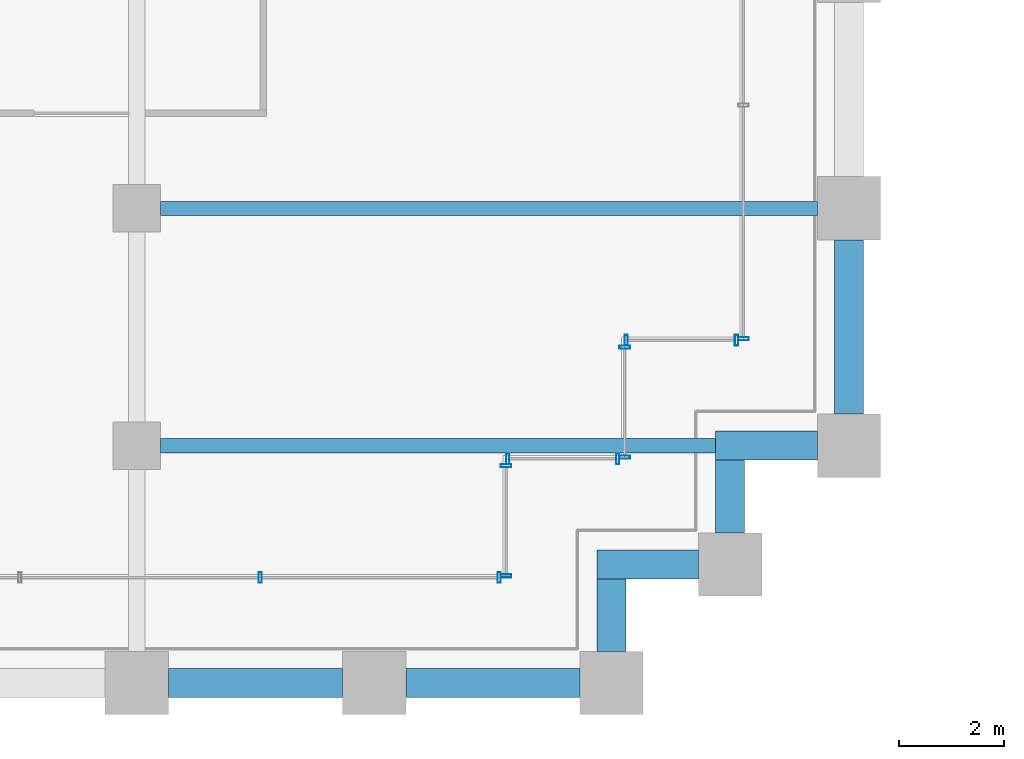
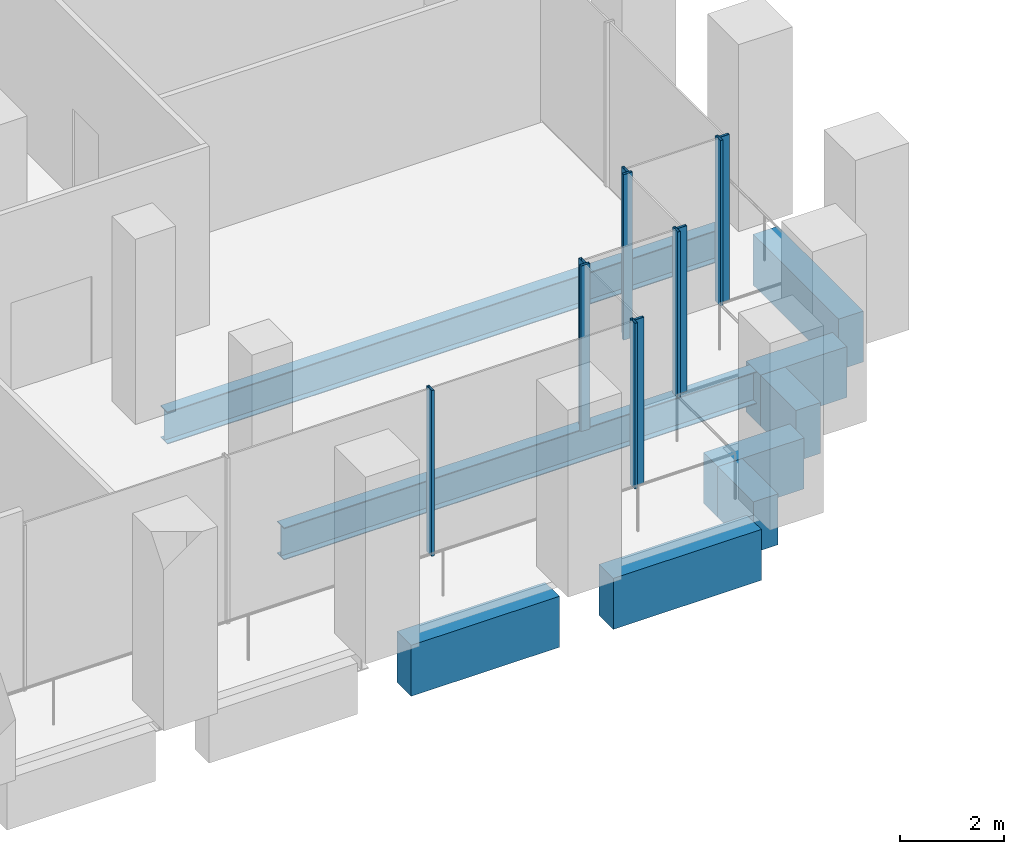
# One storey, part 9 of 36: 11 members, 9 beams, 6 elements without a shape of their own.
"""IFC4 building model written with IfcOpenShell, lengths in metres."""

from ifc_helpers import new_model, si_unit, direction, frame, origin, origin_2d, place, context, subcontext, project, spatial, rectangle, hollow_rectangle, i_section, extrude, material, material_profile, profile_set, type_object, element, aggregate, save


model = new_model("IFC4")

# Units and contexts
model_context = context("Model", 3, precision=1e-05, world=origin(), true_north=direction((0.0, 1.0)))
body_context = subcontext(model_context, "Body", "Model", "MODEL_VIEW")
ifc_project = project(units=[si_unit("LENGTHUNIT", "METRE"), si_unit("AREAUNIT", "SQUARE_METRE"), si_unit("VOLUMEUNIT", "CUBIC_METRE"), si_unit("PLANEANGLEUNIT", "RADIAN"), si_unit("MASSUNIT", "GRAM", prefix="KILO")], contexts=[model_context])

# Site, building, storey
site_placement = place(None, origin())
site = spatial("IfcSite", under=ifc_project, at=site_placement, CompositionType="ELEMENT")
building_placement = place(site_placement, origin())
building = spatial("IfcBuilding", under=site, at=building_placement, Name="Altepetl Exchange Towers", CompositionType="ELEMENT")
storey_placement = place(building_placement, frame((0.0, 0.0, 43.0)))
storey = spatial("IfcBuildingStorey", under=building, at=storey_placement, Name="L09", CompositionType="ELEMENT", Elevation=43.0)

# Beams
ifc_material_1 = material(Name="Steel S355", Category="steel")
ifc_material_profile_1 = material_profile(ifc_material_1, i_section(OverallWidth=0.26611328125, OverallDepth=0.758056640625, WebThickness=0.013916015625, FlangeThickness=0.019287109375, at=origin_2d()), Name="W30X108")
ifc_profile_set_1 = profile_set([ifc_material_profile_1], Name="Steel S355")
beam_type_1 = type_object("IfcBeamType", Name="Floor beam W30X108", PredefinedType="BEAM", material=ifc_profile_set_1)
beam_1_placement = place(storey_placement, frame((58.949951171875, 31.5, -0.553955078125), z_axis=(1.0, 0.0, 0.0), x_axis=(0.0, 1.0, 0.0)))
element("IfcBeam", 1, at=beam_1_placement, inside=storey, type_object=beam_type_1, Name="bm:A:L09:006", PredefinedType="BEAM", context=body_context, shape_type="SweptSolid", body=[
    extrude(i_section(OverallWidth=0.26611328125, OverallDepth=0.758056640625, WebThickness=0.013916015625, FlangeThickness=0.019287109375, at=origin_2d()), origin(), (0.0, 0.0, 1.0), 10.525146484375),
])
beam_2_placement = place(storey_placement, frame((58.949951171875, 36.0, -0.553955078125), z_axis=(1.0, 0.0, 0.0), x_axis=(0.0, 1.0, 0.0)))
element("IfcBeam", 2, at=beam_2_placement, inside=storey, type_object=beam_type_1, Name="bm:A:L09:007", PredefinedType="BEAM", context=body_context, shape_type="SweptSolid", body=[
    extrude(i_section(OverallWidth=0.26611328125, OverallDepth=0.758056640625, WebThickness=0.013916015625, FlangeThickness=0.019287109375, at=origin_2d()), origin(), (0.0, 0.0, 1.0), 12.449951171875),
])

# Curtain wall, members
ifc_material_2 = material(Name="Aluminium 6063-T6 glazing", Category="aluminium")
curtain_wall_type = type_object("IfcCurtainWallType", Name="Trading floor glazing system", PredefinedType="NOTDEFINED", material=ifc_material_2)
curtain_wall_1_placement = place(storey_placement, origin())
curtain_wall_1 = element("IfcCurtainWall", 3, at=curtain_wall_1_placement, inside=storey, type_object=curtain_wall_type, Name="CW2 run", PredefinedType="NOTDEFINED")
ifc_material_3 = material(Name="Aluminium 6063-T6", Category="aluminium")
ifc_material_profile_2 = material_profile(ifc_material_3, hollow_rectangle(XDim=0.06005859375, YDim=0.199951171875, WallThickness=0.0029296875, at=origin_2d()), Name="Mullion 60x200 aluminium")
ifc_profile_set_2 = profile_set([ifc_material_profile_2], Name="Aluminium 6063-T6")
member_type = type_object("IfcMemberType", Name="Mullion 60x200 aluminium", PredefinedType="MULLION", material=ifc_profile_set_2)
member_1_placement = place(storey_placement, frame((60.8427734375, 29.0, 0.0)))
member_1 = element("IfcMember", 4, at=member_1_placement, type_object=member_type, Name="MU2 mullion", PredefinedType="MULLION", context=body_context, shape_type="SweptSolid", body=[
    extrude(hollow_rectangle(XDim=0.06005859375, YDim=0.199951171875, WallThickness=0.0029296875, at=origin_2d()), origin(), (0.0, 0.0, 1.0), 3.89990234375),
])
member_2_placement = place(storey_placement, frame((65.3701171875, 29.0, 0.0)))
member_2 = element("IfcMember", 5, at=member_2_placement, type_object=member_type, Name="MU2 mullion", PredefinedType="MULLION", context=body_context, shape_type="SweptSolid", body=[
    extrude(hollow_rectangle(XDim=0.06005859375, YDim=0.199951171875, WallThickness=0.0029296875, at=origin_2d()), origin(), (0.0, 0.0, 1.0), 3.89990234375),
])
aggregate(curtain_wall_1, [member_1, member_2])

curtain_wall_2_placement = place(storey_placement, origin())
curtain_wall_2 = element("IfcCurtainWall", 6, at=curtain_wall_2_placement, inside=storey, type_object=curtain_wall_type, Name="CW2 run", PredefinedType="NOTDEFINED")
member_3_placement = place(storey_placement, frame((65.5, 29.030029296875, 0.0), z_axis=(0.0, 0.0, 1.0), x_axis=(0.0, 1.0, 0.0)))
member_3 = element("IfcMember", 7, at=member_3_placement, type_object=member_type, Name="MU2 mullion", PredefinedType="MULLION", context=body_context, shape_type="SweptSolid", body=[
    extrude(hollow_rectangle(XDim=0.06005859375, YDim=0.199951171875, WallThickness=0.0029296875, at=origin_2d()), origin(), (0.0, 0.0, 1.0), 3.89990234375),
])
member_4_placement = place(storey_placement, frame((65.5, 31.1201171875, 0.0), z_axis=(0.0, 0.0, 1.0), x_axis=(0.0, 1.0, 0.0)))
member_4 = element("IfcMember", 8, at=member_4_placement, type_object=member_type, Name="MU2 mullion", PredefinedType="MULLION", context=body_context, shape_type="SweptSolid", body=[
    extrude(hollow_rectangle(XDim=0.06005859375, YDim=0.199951171875, WallThickness=0.0029296875, at=origin_2d()), origin(), (0.0, 0.0, 1.0), 3.89990234375),
])
aggregate(curtain_wall_2, [member_3, member_4])

curtain_wall_3_placement = place(storey_placement, origin())
curtain_wall_3 = element("IfcCurtainWall", 9, at=curtain_wall_3_placement, inside=storey, type_object=curtain_wall_type, Name="CW2 run", PredefinedType="NOTDEFINED")
member_5_placement = place(storey_placement, frame((65.530029296875, 31.25, 0.0)))
member_5 = element("IfcMember", 10, at=member_5_placement, type_object=member_type, Name="MU2 mullion", PredefinedType="MULLION", context=body_context, shape_type="SweptSolid", body=[
    extrude(hollow_rectangle(XDim=0.06005859375, YDim=0.199951171875, WallThickness=0.0029296875, at=origin_2d()), origin(), (0.0, 0.0, 1.0), 3.89990234375),
])
member_6_placement = place(storey_placement, frame((67.6201171875, 31.25, 0.0)))
member_6 = element("IfcMember", 11, at=member_6_placement, type_object=member_type, Name="MU2 mullion", PredefinedType="MULLION", context=body_context, shape_type="SweptSolid", body=[
    extrude(hollow_rectangle(XDim=0.06005859375, YDim=0.199951171875, WallThickness=0.0029296875, at=origin_2d()), origin(), (0.0, 0.0, 1.0), 3.89990234375),
])
aggregate(curtain_wall_3, [member_5, member_6])

curtain_wall_4_placement = place(storey_placement, origin())
curtain_wall_4 = element("IfcCurtainWall", 12, at=curtain_wall_4_placement, inside=storey, type_object=curtain_wall_type, Name="CW2 run", PredefinedType="NOTDEFINED")
member_7_placement = place(storey_placement, frame((67.75, 31.280029296875, 0.0), z_axis=(0.0, 0.0, 1.0), x_axis=(0.0, 1.0, 0.0)))
member_7 = element("IfcMember", 13, at=member_7_placement, type_object=member_type, Name="MU2 mullion", PredefinedType="MULLION", context=body_context, shape_type="SweptSolid", body=[
    extrude(hollow_rectangle(XDim=0.06005859375, YDim=0.199951171875, WallThickness=0.0029296875, at=origin_2d()), origin(), (0.0, 0.0, 1.0), 3.89990234375),
])
member_8_placement = place(storey_placement, frame((67.75, 33.3701171875, 0.0), z_axis=(0.0, 0.0, 1.0), x_axis=(0.0, 1.0, 0.0)))
member_8 = element("IfcMember", 14, at=member_8_placement, type_object=member_type, Name="MU2 mullion", PredefinedType="MULLION", context=body_context, shape_type="SweptSolid", body=[
    extrude(hollow_rectangle(XDim=0.06005859375, YDim=0.199951171875, WallThickness=0.0029296875, at=origin_2d()), origin(), (0.0, 0.0, 1.0), 3.89990234375),
])
aggregate(curtain_wall_4, [member_7, member_8])

curtain_wall_5_placement = place(storey_placement, origin())
curtain_wall_5 = element("IfcCurtainWall", 15, at=curtain_wall_5_placement, inside=storey, type_object=curtain_wall_type, Name="CW2 run", PredefinedType="NOTDEFINED")
member_9_placement = place(storey_placement, frame((67.780029296875, 33.5, 0.0)))
member_9 = element("IfcMember", 16, at=member_9_placement, type_object=member_type, Name="MU2 mullion", PredefinedType="MULLION", context=body_context, shape_type="SweptSolid", body=[
    extrude(hollow_rectangle(XDim=0.06005859375, YDim=0.199951171875, WallThickness=0.0029296875, at=origin_2d()), origin(), (0.0, 0.0, 1.0), 3.89990234375),
])
member_10_placement = place(storey_placement, frame((69.8701171875, 33.5, 0.0)))
member_10 = element("IfcMember", 17, at=member_10_placement, type_object=member_type, Name="MU2 mullion", PredefinedType="MULLION", context=body_context, shape_type="SweptSolid", body=[
    extrude(hollow_rectangle(XDim=0.06005859375, YDim=0.199951171875, WallThickness=0.0029296875, at=origin_2d()), origin(), (0.0, 0.0, 1.0), 3.89990234375),
])
aggregate(curtain_wall_5, [member_9, member_10])

# Curtain wall, member
curtain_wall_6_placement = place(storey_placement, origin())
curtain_wall_6 = element("IfcCurtainWall", 18, at=curtain_wall_6_placement, inside=storey, type_object=curtain_wall_type, Name="CW2 run", PredefinedType="NOTDEFINED")
member_11_placement = place(storey_placement, frame((70.0, 33.530029296875, 0.0), z_axis=(0.0, 0.0, 1.0), x_axis=(0.0, 1.0, 0.0)))
member_11 = element("IfcMember", 19, at=member_11_placement, type_object=member_type, Name="MU2 mullion", PredefinedType="MULLION", context=body_context, shape_type="SweptSolid", body=[
    extrude(hollow_rectangle(XDim=0.06005859375, YDim=0.199951171875, WallThickness=0.0029296875, at=origin_2d()), origin(), (0.0, 0.0, 1.0), 3.89990234375),
])
aggregate(curtain_wall_6, [member_11])

# Beams
ifc_material_4 = material(Name="Concrete C50/60 precast with cantera amarilla facing", Category="concrete")
ifc_material_profile_3 = material_profile(ifc_material_4, rectangle(XDim=0.550048828125, YDim=1.199951171875, at=origin_2d()), Name="550 x 1200")
ifc_profile_set_3 = profile_set([ifc_material_profile_3], Name="Concrete C50/60 precast with cantera amarilla facing")
beam_type_2 = type_object("IfcBeamType", Name="Spandrel beam 550x1200 cantera amarilla", PredefinedType="SPANDREL", material=ifc_profile_set_3)
for number, where, z_axis, x_axis, name in (
    (20, (59.10009765625, 27.0, -0.77490234375), (1.0, 0.0, 0.0), (0.0, 1.0, 0.0), "sp:A:L09:006"),
    (21, (63.60009765625, 27.0, -0.77490234375), (1.0, 0.0, 0.0), (0.0, 1.0, 0.0), "sp:A:L09:007"),
):
    element("IfcBeam", number, at=place(storey_placement, frame(where, z_axis=z_axis, x_axis=x_axis)), inside=storey, type_object=beam_type_2, Name=name, PredefinedType="SPANDREL", context=body_context, shape_type="SweptSolid", body=[
        extrude(rectangle(XDim=0.550048828125, YDim=1.199951171875, at=origin_2d()), origin(), (0.0, 0.0, 1.0), 3.2998046875),
    ])
beam_3_placement = place(storey_placement, frame((67.5, 27.60009765625, -0.77490234375), z_axis=(0.0, 1.0, 0.0), x_axis=(-1.0, 0.0, 0.0)))
element("IfcBeam", 22, at=beam_3_placement, inside=storey, type_object=beam_type_2, Name="sp:A:L09:008", PredefinedType="SPANDREL", context=body_context, shape_type="SweptSolid", body=[
    extrude(rectangle(XDim=0.550048828125, YDim=1.199951171875, at=origin_2d()), origin(), (0.0, 0.0, 1.0), 1.375),
])
beam_4_placement = place(storey_placement, frame((67.22509765625, 29.25, -0.77490234375), z_axis=(1.0, 0.0, 0.0), x_axis=(0.0, 1.0, 0.0)))
element("IfcBeam", 23, at=beam_4_placement, inside=storey, type_object=beam_type_2, Name="sp:A:L09:009", PredefinedType="SPANDREL", context=body_context, shape_type="SweptSolid", body=[
    extrude(rectangle(XDim=0.550048828125, YDim=1.199951171875, at=origin_2d()), origin(), (0.0, 0.0, 1.0), 1.9248046875),
])
beam_5_placement = place(storey_placement, frame((69.75, 29.85009765625, -0.77490234375), z_axis=(0.0, 1.0, 0.0), x_axis=(-1.0, 0.0, 0.0)))
element("IfcBeam", 24, at=beam_5_placement, inside=storey, type_object=beam_type_2, Name="sp:A:L09:010", PredefinedType="SPANDREL", context=body_context, shape_type="SweptSolid", body=[
    extrude(rectangle(XDim=0.550048828125, YDim=1.199951171875, at=origin_2d()), origin(), (0.0, 0.0, 1.0), 1.375),
])
beam_6_placement = place(storey_placement, frame((69.47509765625, 31.5, -0.77490234375), z_axis=(1.0, 0.0, 0.0), x_axis=(0.0, 1.0, 0.0)))
element("IfcBeam", 25, at=beam_6_placement, inside=storey, type_object=beam_type_2, Name="sp:A:L09:011", PredefinedType="SPANDREL", context=body_context, shape_type="SweptSolid", body=[
    extrude(rectangle(XDim=0.550048828125, YDim=1.199951171875, at=origin_2d()), origin(), (0.0, 0.0, 1.0), 1.9248046875),
])
beam_7_placement = place(storey_placement, frame((72.0, 32.10009765625, -0.77490234375), z_axis=(0.0, 1.0, 0.0), x_axis=(-1.0, 0.0, 0.0)))
element("IfcBeam", 26, at=beam_7_placement, inside=storey, type_object=beam_type_2, Name="sp:A:L09:012", PredefinedType="SPANDREL", context=body_context, shape_type="SweptSolid", body=[
    extrude(rectangle(XDim=0.550048828125, YDim=1.199951171875, at=origin_2d()), origin(), (0.0, 0.0, 1.0), 3.2998046875),
])

save(model, "model.ifc")
